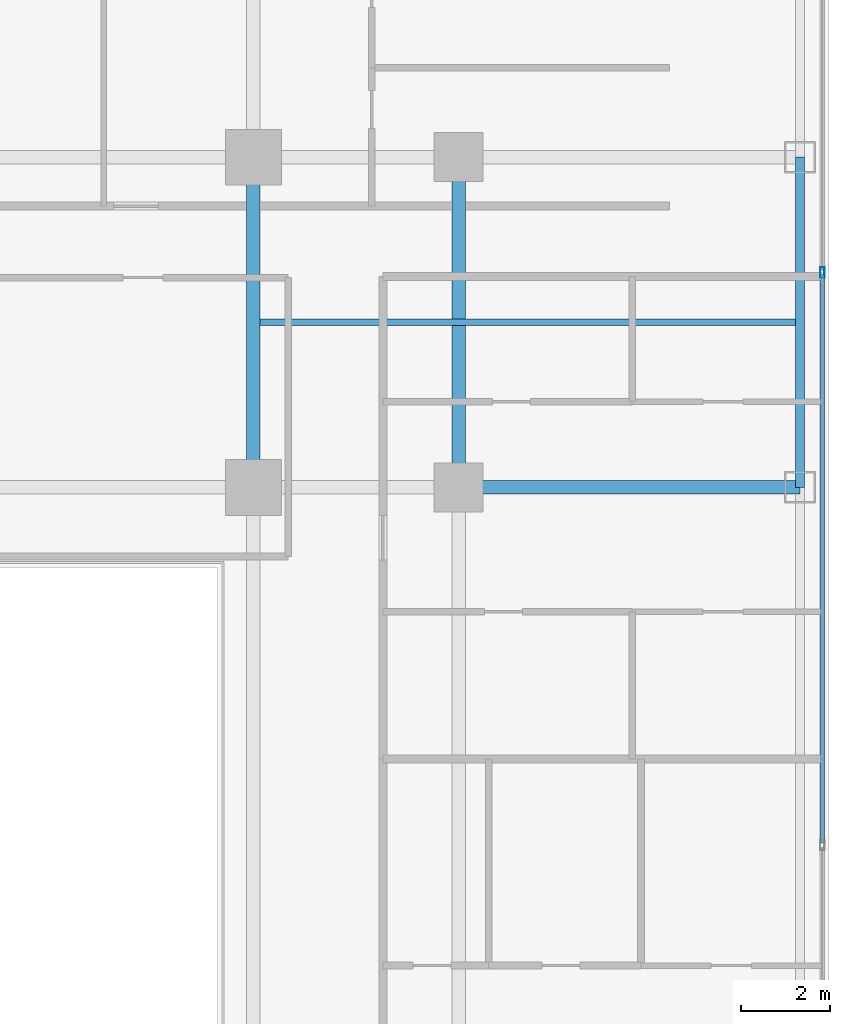
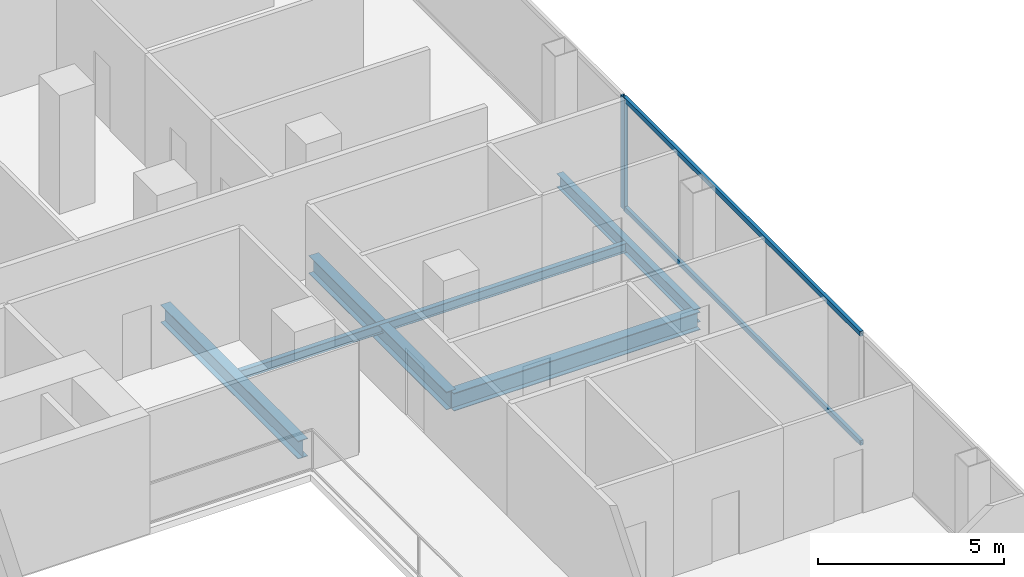
# One storey, part 11 of 27: 5 beams, 3 members, 1 element without a shape of its own.
"""IFC4 building model written with IfcOpenShell, lengths in metres."""

from ifc_helpers import new_model, si_unit, direction, frame, origin, origin_2d, place, context, subcontext, project, spatial, hollow_rectangle, i_section, extrude, material, layer, layer_set, material_profile, profile_set, type_object, element, aggregate, save


model = new_model("IFC4")

# Units and contexts
model_context = context("Model", 3, precision=1e-05, world=origin(), true_north=direction((0.0, 1.0)))
body_context = subcontext(model_context, "Body", "Model", "MODEL_VIEW")
ifc_project = project(units=[si_unit("LENGTHUNIT", "METRE"), si_unit("AREAUNIT", "SQUARE_METRE"), si_unit("VOLUMEUNIT", "CUBIC_METRE"), si_unit("PLANEANGLEUNIT", "RADIAN"), si_unit("MASSUNIT", "GRAM", prefix="KILO")], contexts=[model_context])

# Site, building, storey
site_placement = place(None, origin())
site = spatial("IfcSite", under=ifc_project, at=site_placement, CompositionType="ELEMENT")
building_placement = place(site_placement, origin())
building = spatial("IfcBuilding", under=site, at=building_placement, Name="Khorvyn Point Tower", CompositionType="ELEMENT")
storey_placement = place(building_placement, frame((0.0, 0.0, 125.10009765625)))
storey = spatial("IfcBuildingStorey", under=building, at=storey_placement, Name="L31", CompositionType="ELEMENT", Elevation=125.10009765625)

# Curtain wall, members
ifc_material_1 = material(Name="Anodised aluminium 6063-T6 and laminated Low-E glass", Category="aluminium")
ifc_layer = layer(ifc_material_1, 0.18994140625)
ifc_layer_set = layer_set([ifc_layer], Name="Stick-Built Acoustic Curtain Wall CW-SYS-03")
curtain_wall_type = type_object("IfcCurtainWallType", Name="Stick-Built Acoustic Curtain Wall CW-SYS-03", PredefinedType="NOTDEFINED", material=ifc_layer_set)
curtain_wall_placement = place(storey_placement, origin())
curtain_wall = element("IfcCurtainWall", 1, at=curtain_wall_placement, inside=storey, type_object=curtain_wall_type, Name="Curtain Wall", PredefinedType="NOTDEFINED")
ifc_material_2 = material(Name="Anodised aluminium 6063-T6", Category="aluminium")
ifc_material_profile_1 = material_profile(ifc_material_2, hollow_rectangle(XDim=0.10009765625, YDim=0.239990234375, WallThickness=0.0048828125, at=origin_2d()))
ifc_profile_set_1 = profile_set([ifc_material_profile_1], Name="Anodised aluminium 6063-T6 ALU-MUL-100x240")
member_type_1 = type_object("IfcMemberType", Name="Anodised Aluminium 6063-T6 Mullion ALU-MUL-100x240", PredefinedType="MULLION", material=ifc_profile_set_1)
member_1_placement = place(storey_placement, frame((27.550048828125, 12.216552734375, 0.0), z_axis=(0.0, 0.0, 1.0), x_axis=(1.0, 0.0, 0.0)))
member_1 = element("IfcMember", 2, at=member_1_placement, type_object=member_type_1, Name="Transom", PredefinedType="MULLION", context=body_context, shape_type="SweptSolid", body=[
    extrude(hollow_rectangle(XDim=0.10009765625, YDim=0.239990234375, WallThickness=0.0048828125, at=origin_2d()), origin(), (0.0, 0.0, 1.0), 3.679931640625),
])
ifc_material_profile_2 = material_profile(ifc_material_2, hollow_rectangle(XDim=0.10009765625, YDim=0.159912109375, WallThickness=0.00439453125, at=origin_2d()))
ifc_profile_set_2 = profile_set([ifc_material_profile_2], Name="Anodised aluminium 6063-T6 ALU-TRN-100x160")
member_type_2 = type_object("IfcMemberType", Name="Anodised Aluminium 6063-T6 Transom ALU-TRN-100x160", PredefinedType="USERDEFINED", material=ifc_profile_set_2)
member_2_placement = place(storey_placement, frame((27.550048828125, 12.166748046875, 0.0498046875), z_axis=(0.0, -1.0, 0.0), x_axis=(1.0, 0.0, 0.0)))
member_2 = element("IfcMember", 3, at=member_2_placement, type_object=member_type_2, Name="Transom", ObjectType="TRANSOM", PredefinedType="USERDEFINED", context=body_context, shape_type="SweptSolid", body=[
    extrude(hollow_rectangle(XDim=0.10009765625, YDim=0.159912109375, WallThickness=0.00439453125, at=origin_2d()), origin(), (0.0, 0.0, 1.0), 12.7333984375),
])
member_3_placement = place(storey_placement, frame((27.550048828125, 12.166748046875, 3.6298828125), z_axis=(0.0, -1.0, 0.0), x_axis=(1.0, 0.0, 0.0)))
member_3 = element("IfcMember", 4, at=member_3_placement, type_object=member_type_2, Name="Transom", ObjectType="TRANSOM", PredefinedType="USERDEFINED", context=body_context, shape_type="SweptSolid", body=[
    extrude(hollow_rectangle(XDim=0.10009765625, YDim=0.159912109375, WallThickness=0.00439453125, at=origin_2d()), origin(), (0.0, 0.0, 1.0), 12.7333984375),
])
aggregate(curtain_wall, [member_1, member_2, member_3])

# Beams
ifc_material_3 = material(Name="Steel S355", Category="steel")
ifc_material_profile_3 = material_profile(ifc_material_3, i_section(OverallWidth=0.300048828125, OverallDepth=0.587890625, WebThickness=0.011962890625, FlangeThickness=0.02001953125, at=origin_2d()))
ifc_profile_set_3 = profile_set([ifc_material_profile_3], Name="Steel S355 H588x300x12x20")
beam_type_1 = type_object("IfcBeamType", Name="Steel S355 Beam H588x300x12x20", PredefinedType="BEAM", material=ifc_profile_set_3)
beam_1_placement = place(storey_placement, frame((19.39990234375, 7.39990234375, -0.51416015625), z_axis=(1.0, 0.0, 0.0), x_axis=(0.0, 1.0, 0.0)))
element("IfcBeam", 5, at=beam_1_placement, inside=storey, type_object=beam_type_1, Name="Beam", PredefinedType="BEAM", context=body_context, shape_type="SweptSolid", body=[
    extrude(i_section(OverallWidth=0.300048828125, OverallDepth=0.587890625, WebThickness=0.011962890625, FlangeThickness=0.02001953125, at=origin_2d()), origin(), (0.0, 0.0, 1.0), 7.650146484375),
])
for number, where, z_axis, x_axis, name in (
    (6, (14.800048828125, 7.39990234375, -0.51416015625), (0.0, 1.0, 0.0), (-1.0, 0.0, 0.0), "Beam"),
    (7, (19.39990234375, 7.39990234375, -0.51416015625), (0.0, 1.0, 0.0), (-1.0, 0.0, 0.0), "Beam"),
):
    element("IfcBeam", number, at=place(storey_placement, frame(where, z_axis=z_axis, x_axis=x_axis)), inside=storey, type_object=beam_type_1, Name=name, PredefinedType="BEAM", context=body_context, shape_type="SweptSolid", body=[
        extrude(i_section(OverallWidth=0.300048828125, OverallDepth=0.587890625, WebThickness=0.011962890625, FlangeThickness=0.02001953125, at=origin_2d()), origin(), (0.0, 0.0, 1.0), 7.400146484375),
    ])
ifc_material_profile_4 = material_profile(ifc_material_3, i_section(OverallWidth=0.14990234375, OverallDepth=0.300048828125, WebThickness=0.006591796875, FlangeThickness=0.009033203125, at=origin_2d()))
ifc_profile_set_4 = profile_set([ifc_material_profile_4], Name="Steel S355 H300x150x6.5x9")
beam_type_2 = type_object("IfcBeamType", Name="Steel S355 Joist H300x150x6.5x9", PredefinedType="JOIST", material=ifc_profile_set_4)
beam_2_placement = place(storey_placement, frame((14.949951171875, 11.10009765625, -0.3701171875), z_axis=(1.0, 0.0, 0.0), x_axis=(0.0, 1.0, 0.0)))
element("IfcBeam", 8, at=beam_2_placement, inside=storey, type_object=beam_type_2, Name="Beam", PredefinedType="JOIST", context=body_context, shape_type="SweptSolid", body=[
    extrude(i_section(OverallWidth=0.14990234375, OverallDepth=0.300048828125, WebThickness=0.006591796875, FlangeThickness=0.009033203125, at=origin_2d()), origin(), (0.0, 0.0, 1.0), 12.0),
])
ifc_material_profile_5 = material_profile(ifc_material_3, i_section(OverallWidth=0.199951171875, OverallDepth=0.449951171875, WebThickness=0.009033203125, FlangeThickness=0.013916015625, at=origin_2d()))
ifc_profile_set_5 = profile_set([ifc_material_profile_5], Name="Steel S355 H450x200x9x14")
beam_type_3 = type_object("IfcBeamType", Name="Steel S355 Spandrel H450x200x9x14", PredefinedType="SPANDREL", material=ifc_profile_set_5)
beam_3_placement = place(storey_placement, frame((27.050048828125, 7.39990234375, -0.445068359375), z_axis=(0.0, 1.0, 0.0), x_axis=(-1.0, 0.0, 0.0)))
element("IfcBeam", 9, at=beam_3_placement, inside=storey, type_object=beam_type_3, Name="Beam", PredefinedType="SPANDREL", context=body_context, shape_type="SweptSolid", body=[
    extrude(i_section(OverallWidth=0.199951171875, OverallDepth=0.449951171875, WebThickness=0.009033203125, FlangeThickness=0.013916015625, at=origin_2d()), origin(), (0.0, 0.0, 1.0), 7.400146484375),
])

save(model, "model.ifc")
